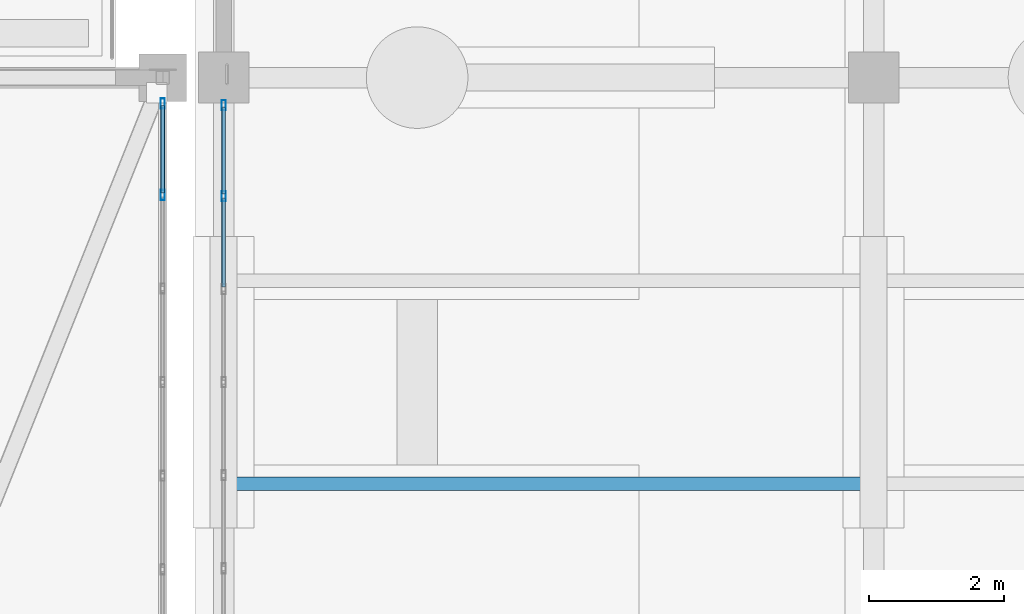
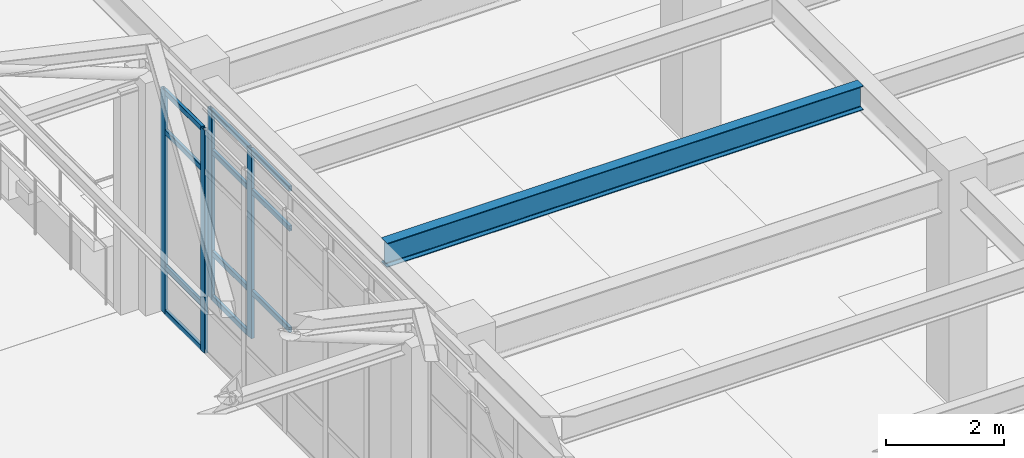
# One storey, part 64 of 139: 15 members, 1 beam, 2 elements without a shape of their own.
"""IFC4 building model written with IfcOpenShell, lengths in metres."""

from ifc_helpers import new_model, si_unit, direction, frame, origin, origin_2d, place, context, subcontext, project, spatial, hollow_rectangle, i_section, extrude, material, material_profile, profile_set, type_object, element, aggregate, save


model = new_model("IFC4")

# Units and contexts
model_context = context("Model", 3, precision=1e-05, world=origin(), true_north=direction((0.0, 1.0)))
body_context = subcontext(model_context, "Body", "Model", "MODEL_VIEW")
ifc_project = project(units=[si_unit("LENGTHUNIT", "METRE"), si_unit("AREAUNIT", "SQUARE_METRE"), si_unit("VOLUMEUNIT", "CUBIC_METRE"), si_unit("PLANEANGLEUNIT", "RADIAN"), si_unit("MASSUNIT", "GRAM", prefix="KILO")], contexts=[model_context])

# Site, building, storey
site_placement = place(None, origin())
site = spatial("IfcSite", under=ifc_project, at=site_placement, CompositionType="ELEMENT")
building_placement = place(site_placement, origin())
building = spatial("IfcBuilding", under=site, at=building_placement, Name="Canglan Escarpment Cableway Terminal", CompositionType="ELEMENT")
storey_placement = place(building_placement, frame((0.0, 0.0, 14.39990234375)))
storey = spatial("IfcBuildingStorey", under=building, at=storey_placement, Name="L03", CompositionType="ELEMENT", Elevation=14.39990234375)

# Curtain wall, members
ifc_material_1 = material(Name="Anodized bronze aluminium and Low-E double glazing", Category="aluminium")
curtain_wall_type_1 = type_object("IfcCurtainWallType", Name="CW-BAY-8300x4600", PredefinedType="NOTDEFINED", material=ifc_material_1)
curtain_wall_1_placement = place(storey_placement, origin())
curtain_wall_1 = element("IfcCurtainWall", 1, at=curtain_wall_1_placement, inside=storey, type_object=curtain_wall_type_1, Name="Classical bay-between-piers glazed curtain wall CW-45", PredefinedType="NOTDEFINED")
ifc_material_2 = material(Name="Thermally broken anodized aluminium 6063-T6", Category="aluminium")
ifc_material_profile_1 = material_profile(ifc_material_2, hollow_rectangle(XDim=0.06494140625, YDim=0.14990234375, WallThickness=0.00341796875, InnerFilletRadius=0.00341796875, OuterFilletRadius=0.007080078125, at=origin_2d()), Name="ALU-MULL 65x150x3.5")
ifc_profile_set_1 = profile_set([ifc_material_profile_1], Name="Thermally broken anodized aluminium 6063-T6")
member_type_1 = type_object("IfcMemberType", Name="CWM-02", PredefinedType="MULLION", material=ifc_profile_set_1)
member_1_placement = place(storey_placement, frame((136.699951171875, 77.2666015625, 0.0), z_axis=(0.0, 0.0, 1.0), x_axis=(-1.0, 0.0, 0.0)))
member_1 = element("IfcMember", 2, at=member_1_placement, type_object=member_type_1, Name="CW-45 mullion 6", PredefinedType="MULLION", context=body_context, shape_type="SweptSolid", body=[
    extrude(hollow_rectangle(XDim=0.06494140625, YDim=0.14990234375, WallThickness=0.00341796875, InnerFilletRadius=0.00341796875, OuterFilletRadius=0.007080078125, at=origin_2d()), origin(), (0.0, 0.0, 1.0), 4.60009765625),
])
member_2_placement = place(storey_placement, frame((136.699951171875, 78.617431640625, 0.0), z_axis=(0.0, 0.0, 1.0), x_axis=(-1.0, 0.0, 0.0)))
member_2 = element("IfcMember", 3, at=member_2_placement, type_object=member_type_1, Name="CW-45 mullion 7", PredefinedType="MULLION", context=body_context, shape_type="SweptSolid", body=[
    extrude(hollow_rectangle(XDim=0.06494140625, YDim=0.14990234375, WallThickness=0.00341796875, InnerFilletRadius=0.00341796875, OuterFilletRadius=0.007080078125, at=origin_2d()), origin(), (0.0, 0.0, 1.0), 4.60009765625),
])

curtain_wall_type_2 = type_object("IfcCurtainWallType", Name="CW-BAY-8250x3900", PredefinedType="NOTDEFINED", material=ifc_material_1)
curtain_wall_2_placement = place(storey_placement, origin())
curtain_wall_2 = element("IfcCurtainWall", 4, at=curtain_wall_2_placement, inside=storey, type_object=curtain_wall_type_2, Name="Classical bay-between-piers glazed curtain wall CW-62", PredefinedType="NOTDEFINED")
member_3_placement = place(storey_placement, frame((137.60009765625, 78.592529296875, 0.0), z_axis=(0.0, 0.0, 1.0), x_axis=(1.0, 0.0, 0.0)))
member_3 = element("IfcMember", 5, at=member_3_placement, type_object=member_type_1, Name="CW-62 mullion 1", PredefinedType="MULLION", context=body_context, shape_type="SweptSolid", body=[
    extrude(hollow_rectangle(XDim=0.06494140625, YDim=0.14990234375, WallThickness=0.00341796875, InnerFilletRadius=0.00341796875, OuterFilletRadius=0.007080078125, at=origin_2d()), origin(), (0.0, 0.0, 1.0), 3.89111328125),
])
member_4_placement = place(storey_placement, frame((137.60009765625, 77.25, 0.0), z_axis=(0.0, 0.0, 1.0), x_axis=(1.0, 0.0, 0.0)))
member_4 = element("IfcMember", 6, at=member_4_placement, type_object=member_type_1, Name="CW-62 mullion 2", PredefinedType="MULLION", context=body_context, shape_type="SweptSolid", body=[
    extrude(hollow_rectangle(XDim=0.06494140625, YDim=0.14990234375, WallThickness=0.00341796875, InnerFilletRadius=0.00341796875, OuterFilletRadius=0.007080078125, at=origin_2d()), origin(), (0.0, 0.0, 1.0), 3.89111328125),
])

# Member
ifc_material_profile_2 = material_profile(ifc_material_2, hollow_rectangle(XDim=0.06005859375, YDim=0.110107421875, WallThickness=0.0029296875, InnerFilletRadius=0.0029296875, OuterFilletRadius=0.006103515625, at=origin_2d()), Name="ALU-TRAN 60x110x3")
ifc_profile_set_2 = profile_set([ifc_material_profile_2], Name="Thermally broken anodized aluminium 6063-T6")
member_type_2 = type_object("IfcMemberType", Name="CWT-02", PredefinedType="USERDEFINED", material=ifc_profile_set_2)
member_5_placement = place(storey_placement, frame((136.699951171875, 77.299072265625, 0.030029296875), z_axis=(0.0, 1.0, 0.0), x_axis=(-1.0, 0.0, 0.0)))
member_5 = element("IfcMember", 7, at=member_5_placement, type_object=member_type_2, Name="CW-45 transom 6.1", ObjectType="TRANSOM", PredefinedType="USERDEFINED", context=body_context, shape_type="SweptSolid", body=[
    extrude(hollow_rectangle(XDim=0.06005859375, YDim=0.110107421875, WallThickness=0.0029296875, InnerFilletRadius=0.0029296875, OuterFilletRadius=0.006103515625, at=origin_2d()), origin(), (0.0, 0.0, 1.0), 1.285888671875),
])

member_6_placement = place(storey_placement, frame((136.699951171875, 77.299072265625, 0.9501953125), z_axis=(0.0, 1.0, 0.0), x_axis=(-1.0, 0.0, 0.0)))
member_6 = element("IfcMember", 8, at=member_6_placement, type_object=member_type_2, Name="CW-45 transom 6.2", ObjectType="TRANSOM", PredefinedType="USERDEFINED", context=body_context, shape_type="SweptSolid", body=[
    extrude(hollow_rectangle(XDim=0.06005859375, YDim=0.110107421875, WallThickness=0.0029296875, InnerFilletRadius=0.0029296875, OuterFilletRadius=0.006103515625, at=origin_2d()), origin(), (0.0, 0.0, 1.0), 1.285888671875),
])

member_7_placement = place(storey_placement, frame((136.699951171875, 77.299072265625, 3.75), z_axis=(0.0, 1.0, 0.0), x_axis=(-1.0, 0.0, 0.0)))
member_7 = element("IfcMember", 9, at=member_7_placement, type_object=member_type_2, Name="CW-45 transom 6.3", ObjectType="TRANSOM", PredefinedType="USERDEFINED", context=body_context, shape_type="SweptSolid", body=[
    extrude(hollow_rectangle(XDim=0.06005859375, YDim=0.110107421875, WallThickness=0.0029296875, InnerFilletRadius=0.0029296875, OuterFilletRadius=0.006103515625, at=origin_2d()), origin(), (0.0, 0.0, 1.0), 1.285888671875),
])

member_8_placement = place(storey_placement, frame((136.699951171875, 77.299072265625, 4.570068359375), z_axis=(0.0, 1.0, 0.0), x_axis=(-1.0, 0.0, 0.0)))
member_8 = element("IfcMember", 10, at=member_8_placement, type_object=member_type_2, Name="CW-45 transom 6.4", ObjectType="TRANSOM", PredefinedType="USERDEFINED", context=body_context, shape_type="SweptSolid", body=[
    extrude(hollow_rectangle(XDim=0.06005859375, YDim=0.110107421875, WallThickness=0.0029296875, InnerFilletRadius=0.0029296875, OuterFilletRadius=0.006103515625, at=origin_2d()), origin(), (0.0, 0.0, 1.0), 1.285888671875),
])

aggregate(curtain_wall_1, [member_1, member_2, member_5, member_6, member_7, member_8])

member_9_placement = place(storey_placement, frame((137.60009765625, 78.56005859375, 0.030029296875), z_axis=(0.0, -1.0, 0.0), x_axis=(1.0, 0.0, 0.0)))
member_9 = element("IfcMember", 11, at=member_9_placement, type_object=member_type_2, Name="CW-62 transom 1.1", ObjectType="TRANSOM", PredefinedType="USERDEFINED", context=body_context, shape_type="SweptSolid", body=[
    extrude(hollow_rectangle(XDim=0.06005859375, YDim=0.110107421875, WallThickness=0.0029296875, InnerFilletRadius=0.0029296875, OuterFilletRadius=0.006103515625, at=origin_2d()), origin(), (0.0, 0.0, 1.0), 1.277587890625),
])

member_10_placement = place(storey_placement, frame((137.60009765625, 78.56005859375, 0.9501953125), z_axis=(0.0, -1.0, 0.0), x_axis=(1.0, 0.0, 0.0)))
member_10 = element("IfcMember", 12, at=member_10_placement, type_object=member_type_2, Name="CW-62 transom 1.2", ObjectType="TRANSOM", PredefinedType="USERDEFINED", context=body_context, shape_type="SweptSolid", body=[
    extrude(hollow_rectangle(XDim=0.06005859375, YDim=0.110107421875, WallThickness=0.0029296875, InnerFilletRadius=0.0029296875, OuterFilletRadius=0.006103515625, at=origin_2d()), origin(), (0.0, 0.0, 1.0), 1.277587890625),
])

member_11_placement = place(storey_placement, frame((137.60009765625, 78.56005859375, 3.041015625), z_axis=(0.0, -1.0, 0.0), x_axis=(1.0, 0.0, 0.0)))
member_11 = element("IfcMember", 13, at=member_11_placement, type_object=member_type_2, Name="CW-62 transom 1.3", ObjectType="TRANSOM", PredefinedType="USERDEFINED", context=body_context, shape_type="SweptSolid", body=[
    extrude(hollow_rectangle(XDim=0.06005859375, YDim=0.110107421875, WallThickness=0.0029296875, InnerFilletRadius=0.0029296875, OuterFilletRadius=0.006103515625, at=origin_2d()), origin(), (0.0, 0.0, 1.0), 1.277587890625),
])

member_12_placement = place(storey_placement, frame((137.60009765625, 78.56005859375, 3.861083984375), z_axis=(0.0, -1.0, 0.0), x_axis=(1.0, 0.0, 0.0)))
member_12 = element("IfcMember", 14, at=member_12_placement, type_object=member_type_2, Name="CW-62 transom 1.4", ObjectType="TRANSOM", PredefinedType="USERDEFINED", context=body_context, shape_type="SweptSolid", body=[
    extrude(hollow_rectangle(XDim=0.06005859375, YDim=0.110107421875, WallThickness=0.0029296875, InnerFilletRadius=0.0029296875, OuterFilletRadius=0.006103515625, at=origin_2d()), origin(), (0.0, 0.0, 1.0), 1.277587890625),
])

member_13_placement = place(storey_placement, frame((137.60009765625, 77.217529296875, 0.9501953125), z_axis=(0.0, -1.0, 0.0), x_axis=(1.0, 0.0, 0.0)))
member_13 = element("IfcMember", 15, at=member_13_placement, type_object=member_type_2, Name="CW-62 transom 2.2", ObjectType="TRANSOM", PredefinedType="USERDEFINED", context=body_context, shape_type="SweptSolid", body=[
    extrude(hollow_rectangle(XDim=0.06005859375, YDim=0.110107421875, WallThickness=0.0029296875, InnerFilletRadius=0.0029296875, OuterFilletRadius=0.006103515625, at=origin_2d()), origin(), (0.0, 0.0, 1.0), 1.31005859375),
])

member_14_placement = place(storey_placement, frame((137.60009765625, 77.217529296875, 3.041015625), z_axis=(0.0, -1.0, 0.0), x_axis=(1.0, 0.0, 0.0)))
member_14 = element("IfcMember", 16, at=member_14_placement, type_object=member_type_2, Name="CW-62 transom 2.3", ObjectType="TRANSOM", PredefinedType="USERDEFINED", context=body_context, shape_type="SweptSolid", body=[
    extrude(hollow_rectangle(XDim=0.06005859375, YDim=0.110107421875, WallThickness=0.0029296875, InnerFilletRadius=0.0029296875, OuterFilletRadius=0.006103515625, at=origin_2d()), origin(), (0.0, 0.0, 1.0), 1.31005859375),
])

member_15_placement = place(storey_placement, frame((137.60009765625, 77.217529296875, 3.861083984375), z_axis=(0.0, -1.0, 0.0), x_axis=(1.0, 0.0, 0.0)))
member_15 = element("IfcMember", 17, at=member_15_placement, type_object=member_type_2, Name="CW-62 transom 2.4", ObjectType="TRANSOM", PredefinedType="USERDEFINED", context=body_context, shape_type="SweptSolid", body=[
    extrude(hollow_rectangle(XDim=0.06005859375, YDim=0.110107421875, WallThickness=0.0029296875, InnerFilletRadius=0.0029296875, OuterFilletRadius=0.006103515625, at=origin_2d()), origin(), (0.0, 0.0, 1.0), 1.31005859375),
])

aggregate(curtain_wall_2, [member_3, member_4, member_9, member_10, member_11, member_12, member_13, member_14, member_15])

# Beam
ifc_material_3 = material(Name="Steel Q355B", Category="steel")
ifc_material_profile_3 = material_profile(ifc_material_3, i_section(OverallWidth=0.199951171875, OverallDepth=0.5, WebThickness=0.010009765625, FlangeThickness=0.01611328125, FilletRadius=0.02001953125, at=origin_2d()), Name="HN 500x200x10x16")
ifc_profile_set_3 = profile_set([ifc_material_profile_3], Name="Steel Q355B")
beam_type = type_object("IfcBeamType", Name="JS-HN500", PredefinedType="JOIST", material=ifc_profile_set_3)
beam_placement = place(storey_placement, frame((137.7509765625, 73.0, 4.25), z_axis=(1.0, 0.0, 0.0), x_axis=(0.0, 1.0, 0.0)))
element("IfcBeam", 18, at=beam_placement, inside=storey, type_object=beam_type, Name="Secondary composite deck joist J-01", PredefinedType="JOIST", context=body_context, shape_type="SweptSolid", body=[
    extrude(i_section(OverallWidth=0.199951171875, OverallDepth=0.5, WebThickness=0.010009765625, FlangeThickness=0.01611328125, FilletRadius=0.02001953125, at=origin_2d()), origin(), (0.0, 0.0, 1.0), 9.298095703125),
])

save(model, "model.ifc")
